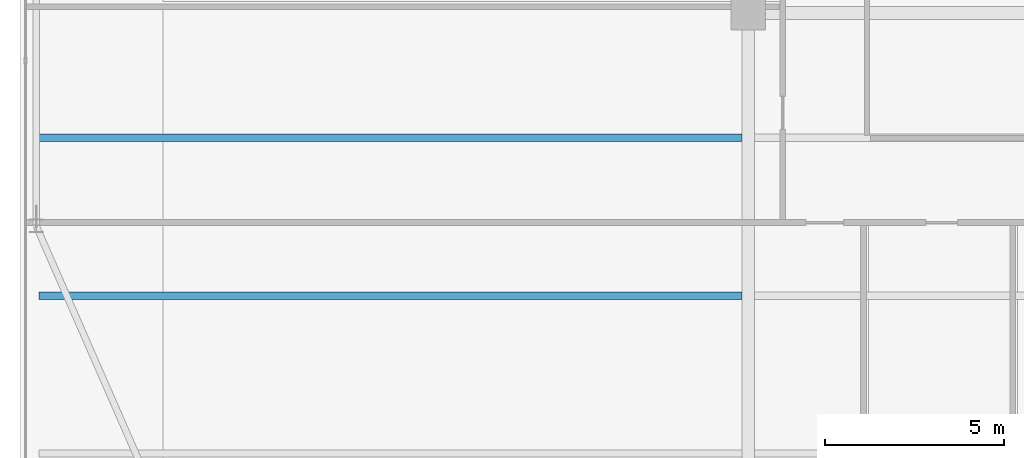
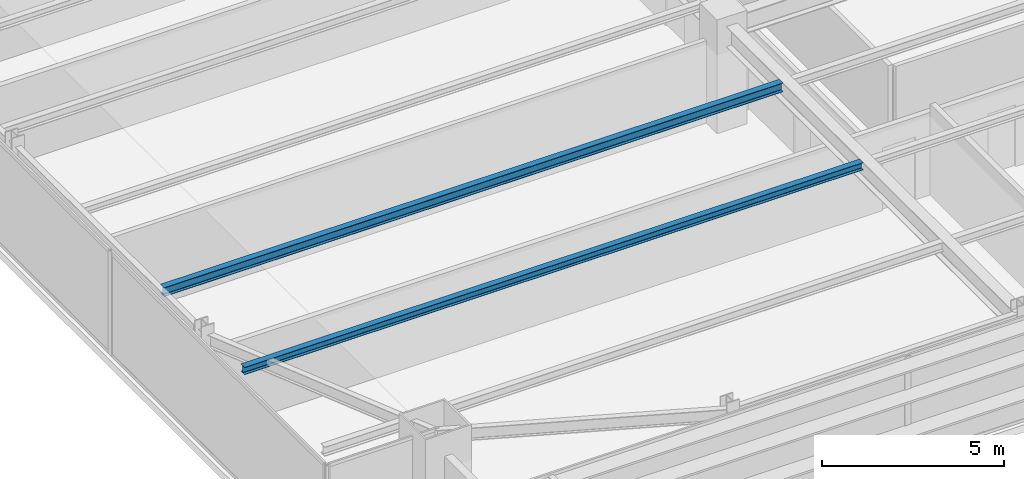
# One storey, part 7 of 33: 2 beams.
"""IFC4 building model written with IfcOpenShell, lengths in metres."""

from ifc_helpers import new_model, si_unit, direction, frame, origin, origin_2d, place, context, subcontext, project, spatial, i_section, extrude, source, transform, mapped, material, material_profile, profile_set, type_object, type_shapes, element, save


model = new_model("IFC4")

# Units and contexts
model_context = context("Model", 3, precision=1e-05, world=origin(), true_north=direction((0.0, 1.0)))
body_context = subcontext(model_context, "Body", "Model", "MODEL_VIEW")
ifc_project = project(units=[si_unit("LENGTHUNIT", "METRE"), si_unit("AREAUNIT", "SQUARE_METRE"), si_unit("VOLUMEUNIT", "CUBIC_METRE"), si_unit("PLANEANGLEUNIT", "RADIAN"), si_unit("MASSUNIT", "GRAM", prefix="KILO")], contexts=[model_context])

# Site, building, storey
site_placement = place(None, origin())
site = spatial("IfcSite", under=ifc_project, at=site_placement, CompositionType="ELEMENT")
building_placement = place(site_placement, origin())
building = spatial("IfcBuilding", under=site, at=building_placement, Name="Varnel Quay Broadcast Tower", CompositionType="ELEMENT")
storey_placement = place(building_placement, frame((0.0, 0.0, 137.199951171875)))
storey = spatial("IfcBuildingStorey", under=building, at=storey_placement, Name="L33", CompositionType="ELEMENT", Elevation=137.199951171875)

# Beams
ifc_material = material(Name="Structural Steel CSA G40.21 350W", Category="steel")
ifc_material_profile_1 = material_profile(ifc_material, i_section(OverallWidth=0.202880859375, OverallDepth=0.302978515625, WebThickness=0.007568359375, FlangeThickness=0.01318359375, FilletRadius=0.011962890625, at=origin_2d()), Name="W310X60")
ifc_profile_set_1 = profile_set([ifc_material_profile_1], Name="Structural Steel CSA G40.21 350W")
beam_type_1 = type_object("IfcBeamType", Name="Beam_W310X60", PredefinedType="JOIST", material=ifc_profile_set_1)
shared_shape_1 = source(origin(), body_context, "Body", "SweptSolid", [
    extrude(i_section(OverallWidth=0.202880859375, OverallDepth=0.302978515625, WebThickness=0.007568359375, FlangeThickness=0.01318359375, FilletRadius=0.011962890625, at=origin_2d()), origin(), (0.0, 0.0, 1.0), 19.592041015625),
])
type_shapes(beam_type_1, [shared_shape_1])
beam_1_placement = place(storey_placement, frame((5.035400390625, 17.449951171875, 3.32861328125), z_axis=(1.0, 0.0, 0.0), x_axis=(0.0, 1.0, 0.0)))
element("IfcBeam", 1, at=beam_1_placement, inside=storey, type_object=beam_type_1, Name="L33 West Floor Joist 3", PredefinedType="JOIST", context=body_context, shape_type="MappedRepresentation", body=[
    mapped(shared_shape_1, transform((0.0, 0.0, 0.0), x_axis=(1.0, 0.0, 0.0), y_axis=(0.0, 1.0, 0.0), z_axis=(0.0, 0.0, 1.0), scale=1.0)),
])
ifc_material_profile_2 = material_profile(ifc_material, i_section(OverallWidth=0.201904296875, OverallDepth=0.2470703125, WebThickness=0.00732421875, FlangeThickness=0.010986328125, FilletRadius=0.010986328125, at=origin_2d()), Name="W250X49")
ifc_profile_set_2 = profile_set([ifc_material_profile_2], Name="Structural Steel CSA G40.21 350W")
beam_type_2 = type_object("IfcBeamType", Name="Beam_W250X49", PredefinedType="JOIST", material=ifc_profile_set_2)
shared_shape_2 = source(origin(), body_context, "Body", "SweptSolid", [
    extrude(i_section(OverallWidth=0.201904296875, OverallDepth=0.2470703125, WebThickness=0.00732421875, FlangeThickness=0.010986328125, FilletRadius=0.010986328125, at=origin_2d()), origin(), (0.0, 0.0, 1.0), 19.592041015625),
])
type_shapes(beam_type_2, [shared_shape_2])
beam_2_placement = place(storey_placement, frame((5.035400390625, 13.050048828125, 3.3564453125), z_axis=(1.0, 0.0, 0.0), x_axis=(0.0, 1.0, 0.0)))
element("IfcBeam", 2, at=beam_2_placement, inside=storey, type_object=beam_type_2, Name="L33 West Floor Joist 2", PredefinedType="JOIST", context=body_context, shape_type="MappedRepresentation", body=[
    mapped(shared_shape_2, transform((0.0, 0.0, 0.0), x_axis=(1.0, 0.0, 0.0), y_axis=(0.0, 1.0, 0.0), z_axis=(0.0, 0.0, 1.0), scale=1.0)),
])

save(model, "model.ifc")
